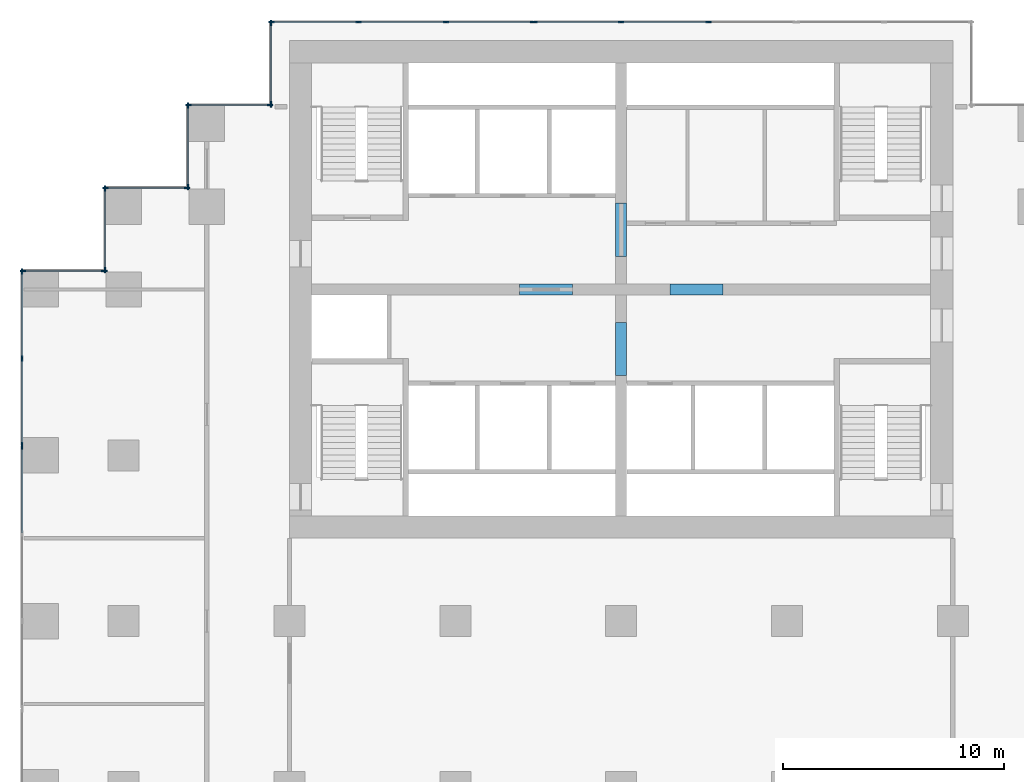
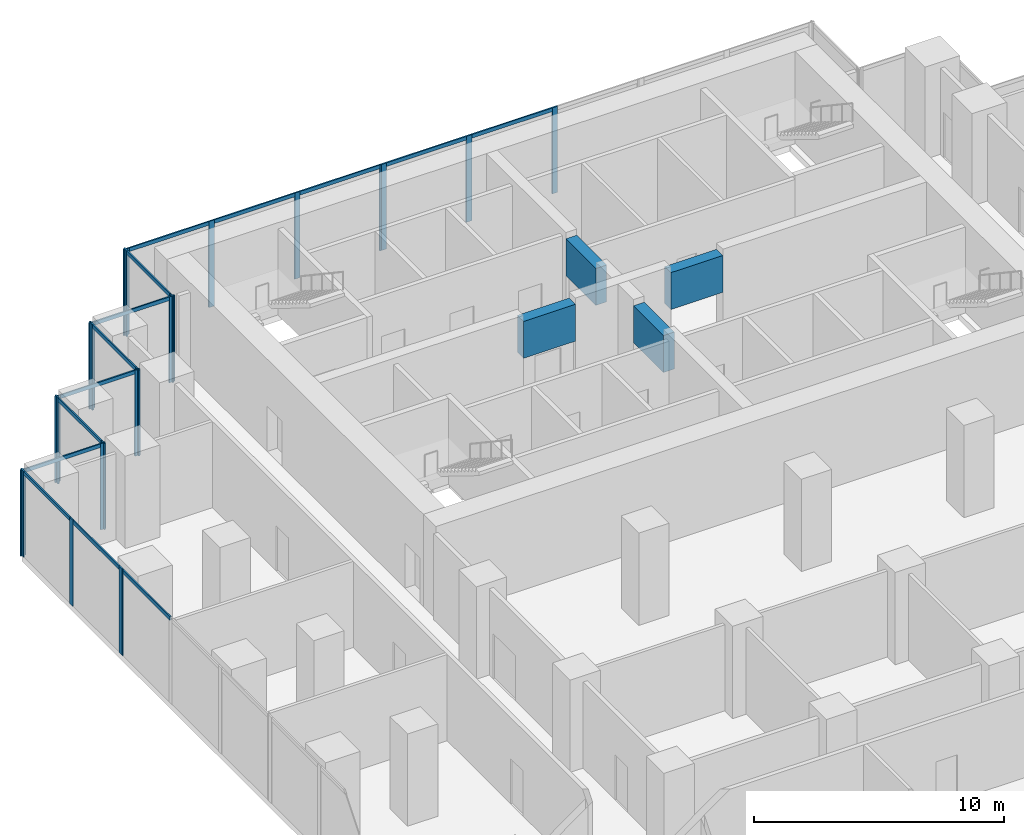
# One storey, part 4 of 10: 37 members, 4 beams, 10 elements without a shape of their own.
"""IFC4 building model written with IfcOpenShell, lengths in metres."""

from ifc_helpers import new_model, si_unit, direction, frame, origin, origin_2d, place, context, subcontext, project, spatial, rectangle, extrude, material, material_profile, profile_set, type_object, element, aggregate, save


model = new_model("IFC4")

# Units and contexts
model_context = context("Model", 3, precision=1e-05, world=origin(), true_north=direction((0.0, 1.0)))
body_context = subcontext(model_context, "Body", "Model", "MODEL_VIEW")
ifc_project = project(units=[si_unit("LENGTHUNIT", "METRE"), si_unit("AREAUNIT", "SQUARE_METRE"), si_unit("VOLUMEUNIT", "CUBIC_METRE"), si_unit("PLANEANGLEUNIT", "RADIAN"), si_unit("MASSUNIT", "GRAM", prefix="KILO")], contexts=[model_context])

# Site, building, storey
site_placement = place(None, origin())
site = spatial("IfcSite", under=ifc_project, at=site_placement, CompositionType="ELEMENT")
building_placement = place(site_placement, origin())
building = spatial("IfcBuilding", under=site, at=building_placement, Name="Pilkhan Gate Tower", CompositionType="ELEMENT")
storey_placement = place(building_placement, frame((0.0, 0.0, 35.0)))
storey = spatial("IfcBuildingStorey", under=building, at=storey_placement, Name="L05", CompositionType="ELEMENT", Elevation=35.0)

# Beams
ifc_material_1 = material(Name="Concrete C70/85", Category="concrete")
ifc_material_profile_1 = material_profile(ifc_material_1, rectangle(XDim=0.5, YDim=1.800048828125, at=origin_2d()), Name="RC 500x1800")
ifc_profile_set_1 = profile_set([ifc_material_profile_1], Name="Concrete C70/85")
beam_type = type_object("IfcBeamType", Name="Coupling beam CB180 RC 500x1800 C70/85", PredefinedType="LINTEL", material=ifc_profile_set_1)
for number, where, z_axis, x_axis, name in (
    (1, (70.39990234375, 82.5, 3.300048828125), (1.0, 0.0, 0.0), (0.0, 1.0, 0.0), "Coupling beam 1 L05"),
    (2, (77.199951171875, 82.5, 3.300048828125), (1.0, 0.0, 0.0), (0.0, 1.0, 0.0), "Coupling beam 2 L05"),
):
    element("IfcBeam", number, at=place(storey_placement, frame(where, z_axis=z_axis, x_axis=x_axis)), inside=storey, type_object=beam_type, Name=name, PredefinedType="LINTEL", context=body_context, shape_type="SweptSolid", body=[
        extrude(rectangle(XDim=0.5, YDim=1.800048828125, at=origin_2d()), origin(), (0.0, 0.0, 1.0), 2.400146484375),
    ])
for number, where, z_axis, x_axis, name in (
    (3, (75.0, 78.60009765625, 3.300048828125), (0.0, 1.0, 0.0), (-1.0, 0.0, 0.0), "Coupling beam 3 L05"),
    (4, (75.0, 84.0, 3.300048828125), (0.0, 1.0, 0.0), (-1.0, 0.0, 0.0), "Coupling beam 4 L05"),
):
    element("IfcBeam", number, at=place(storey_placement, frame(where, z_axis=z_axis, x_axis=x_axis)), inside=storey, type_object=beam_type, Name=name, PredefinedType="LINTEL", context=body_context, shape_type="SweptSolid", body=[
        extrude(rectangle(XDim=0.5, YDim=1.800048828125, at=origin_2d()), origin(), (0.0, 0.0, 1.0), 2.39990234375),
    ])

# Curtain wall, members
ifc_material_2 = material(Name="Pale anodised aluminium, clear low-iron double glazing", Category="aluminium")
curtain_wall_type = type_object("IfcCurtainWallType", Name="Hotel unitised curtain wall CW-H", PredefinedType="USERDEFINED", material=ifc_material_2)
curtain_wall_1_placement = place(storey_placement, origin())
curtain_wall_1 = element("IfcCurtainWall", 5, at=curtain_wall_1_placement, inside=storey, type_object=curtain_wall_type, Name="Hotel unitised curtain wall CW-H L05 N", ObjectType="UNITISED CURTAIN WALL", PredefinedType="USERDEFINED")
ifc_material_3 = material(Name="Pale anodised aluminium", Category="aluminium")
ifc_material_profile_2 = material_profile(ifc_material_3, rectangle(XDim=0.06494140625, YDim=0.25, at=origin_2d()), Name="Mullion 250x65")
ifc_profile_set_2 = profile_set([ifc_material_profile_2], Name="Pale anodised aluminium")
member_type_1 = type_object("IfcMemberType", Name="Mullion CW-H 250x65", PredefinedType="MULLION", material=ifc_profile_set_2)
member_1_placement = place(storey_placement, frame((59.1875, 94.594970703125, 0.0), z_axis=(0.0, 0.0, 1.0), x_axis=(0.0, 1.0, 0.0)))
member_1 = element("IfcMember", 6, at=member_1_placement, type_object=member_type_1, Name="CW-H mullion 1", PredefinedType="MULLION", context=body_context, shape_type="SweptSolid", body=[
    extrude(rectangle(XDim=0.06494140625, YDim=0.25, at=origin_2d()), origin(), (0.0, 0.0, 1.0), 4.199951171875),
])
member_2_placement = place(storey_placement, frame((63.1162109375, 94.594970703125, 0.0), z_axis=(0.0, 0.0, 1.0), x_axis=(0.0, 1.0, 0.0)))
member_2 = element("IfcMember", 7, at=member_2_placement, type_object=member_type_1, Name="CW-H mullion 2", PredefinedType="MULLION", context=body_context, shape_type="SweptSolid", body=[
    extrude(rectangle(XDim=0.06494140625, YDim=0.25, at=origin_2d()), origin(), (0.0, 0.0, 1.0), 4.199951171875),
])
member_3_placement = place(storey_placement, frame((67.077392578125, 94.594970703125, 0.0), z_axis=(0.0, 0.0, 1.0), x_axis=(0.0, 1.0, 0.0)))
member_3 = element("IfcMember", 8, at=member_3_placement, type_object=member_type_1, Name="CW-H mullion 3", PredefinedType="MULLION", context=body_context, shape_type="SweptSolid", body=[
    extrude(rectangle(XDim=0.06494140625, YDim=0.25, at=origin_2d()), origin(), (0.0, 0.0, 1.0), 4.199951171875),
])
member_4_placement = place(storey_placement, frame((71.00634765625, 94.594970703125, 0.0), z_axis=(0.0, 0.0, 1.0), x_axis=(0.0, 1.0, 0.0)))
member_4 = element("IfcMember", 9, at=member_4_placement, type_object=member_type_1, Name="CW-H mullion 4", PredefinedType="MULLION", context=body_context, shape_type="SweptSolid", body=[
    extrude(rectangle(XDim=0.06494140625, YDim=0.25, at=origin_2d()), origin(), (0.0, 0.0, 1.0), 4.199951171875),
])

curtain_wall_2_placement = place(storey_placement, origin())
curtain_wall_2 = element("IfcCurtainWall", 10, at=curtain_wall_2_placement, inside=storey, type_object=curtain_wall_type, Name="Hotel unitised curtain wall CW-H L05 N", ObjectType="UNITISED CURTAIN WALL", PredefinedType="USERDEFINED")
member_5_placement = place(storey_placement, frame((71.0712890625, 94.594970703125, 0.0), z_axis=(0.0, 0.0, 1.0), x_axis=(0.0, 1.0, 0.0)))
member_5 = element("IfcMember", 11, at=member_5_placement, type_object=member_type_1, Name="CW-H mullion 1", PredefinedType="MULLION", context=body_context, shape_type="SweptSolid", body=[
    extrude(rectangle(XDim=0.06494140625, YDim=0.25, at=origin_2d()), origin(), (0.0, 0.0, 1.0), 4.199951171875),
])
member_6_placement = place(storey_placement, frame((75.0, 94.594970703125, 0.0), z_axis=(0.0, 0.0, 1.0), x_axis=(0.0, 1.0, 0.0)))
member_6 = element("IfcMember", 12, at=member_6_placement, type_object=member_type_1, Name="CW-H mullion 2", PredefinedType="MULLION", context=body_context, shape_type="SweptSolid", body=[
    extrude(rectangle(XDim=0.06494140625, YDim=0.25, at=origin_2d()), origin(), (0.0, 0.0, 1.0), 4.199951171875),
])
member_7_placement = place(storey_placement, frame((78.961181640625, 94.594970703125, 0.0), z_axis=(0.0, 0.0, 1.0), x_axis=(0.0, 1.0, 0.0)))
member_7 = element("IfcMember", 13, at=member_7_placement, type_object=member_type_1, Name="CW-H mullion 3", PredefinedType="MULLION", context=body_context, shape_type="SweptSolid", body=[
    extrude(rectangle(XDim=0.06494140625, YDim=0.25, at=origin_2d()), origin(), (0.0, 0.0, 1.0), 4.199951171875),
])

curtain_wall_3_placement = place(storey_placement, origin())
curtain_wall_3 = element("IfcCurtainWall", 14, at=curtain_wall_3_placement, inside=storey, type_object=curtain_wall_type, Name="Hotel unitised curtain wall CW-H L05 W", ObjectType="UNITISED CURTAIN WALL", PredefinedType="USERDEFINED")
member_8_placement = place(storey_placement, frame((59.155029296875, 90.87744140625, 0.0), z_axis=(0.0, 0.0, 1.0), x_axis=(-1.0, 0.0, 0.0)))
member_8 = element("IfcMember", 15, at=member_8_placement, type_object=member_type_1, Name="CW-H mullion 1", PredefinedType="MULLION", context=body_context, shape_type="SweptSolid", body=[
    extrude(rectangle(XDim=0.06494140625, YDim=0.25, at=origin_2d()), origin(), (0.0, 0.0, 1.0), 4.199951171875),
])
member_9_placement = place(storey_placement, frame((59.155029296875, 94.5625, 0.0), z_axis=(0.0, 0.0, 1.0), x_axis=(-1.0, 0.0, 0.0)))
member_9 = element("IfcMember", 16, at=member_9_placement, type_object=member_type_1, Name="CW-H mullion 2", PredefinedType="MULLION", context=body_context, shape_type="SweptSolid", body=[
    extrude(rectangle(XDim=0.06494140625, YDim=0.25, at=origin_2d()), origin(), (0.0, 0.0, 1.0), 4.199951171875),
])

curtain_wall_4_placement = place(storey_placement, origin())
curtain_wall_4 = element("IfcCurtainWall", 17, at=curtain_wall_4_placement, inside=storey, type_object=curtain_wall_type, Name="Hotel unitised curtain wall CW-H L05 N", ObjectType="UNITISED CURTAIN WALL", PredefinedType="USERDEFINED")
member_10_placement = place(storey_placement, frame((55.4375, 90.844970703125, 0.0), z_axis=(0.0, 0.0, 1.0), x_axis=(0.0, 1.0, 0.0)))
member_10 = element("IfcMember", 18, at=member_10_placement, type_object=member_type_1, Name="CW-H mullion 1", PredefinedType="MULLION", context=body_context, shape_type="SweptSolid", body=[
    extrude(rectangle(XDim=0.06494140625, YDim=0.25, at=origin_2d()), origin(), (0.0, 0.0, 1.0), 4.199951171875),
])
member_11_placement = place(storey_placement, frame((59.12255859375, 90.844970703125, 0.0), z_axis=(0.0, 0.0, 1.0), x_axis=(0.0, 1.0, 0.0)))
member_11 = element("IfcMember", 19, at=member_11_placement, type_object=member_type_1, Name="CW-H mullion 2", PredefinedType="MULLION", context=body_context, shape_type="SweptSolid", body=[
    extrude(rectangle(XDim=0.06494140625, YDim=0.25, at=origin_2d()), origin(), (0.0, 0.0, 1.0), 4.199951171875),
])

curtain_wall_5_placement = place(storey_placement, origin())
curtain_wall_5 = element("IfcCurtainWall", 20, at=curtain_wall_5_placement, inside=storey, type_object=curtain_wall_type, Name="Hotel unitised curtain wall CW-H L05 W", ObjectType="UNITISED CURTAIN WALL", PredefinedType="USERDEFINED")
member_12_placement = place(storey_placement, frame((55.405029296875, 87.12744140625, 0.0), z_axis=(0.0, 0.0, 1.0), x_axis=(-1.0, 0.0, 0.0)))
member_12 = element("IfcMember", 21, at=member_12_placement, type_object=member_type_1, Name="CW-H mullion 1", PredefinedType="MULLION", context=body_context, shape_type="SweptSolid", body=[
    extrude(rectangle(XDim=0.06494140625, YDim=0.25, at=origin_2d()), origin(), (0.0, 0.0, 1.0), 4.199951171875),
])
member_13_placement = place(storey_placement, frame((55.405029296875, 90.8125, 0.0), z_axis=(0.0, 0.0, 1.0), x_axis=(-1.0, 0.0, 0.0)))
member_13 = element("IfcMember", 22, at=member_13_placement, type_object=member_type_1, Name="CW-H mullion 2", PredefinedType="MULLION", context=body_context, shape_type="SweptSolid", body=[
    extrude(rectangle(XDim=0.06494140625, YDim=0.25, at=origin_2d()), origin(), (0.0, 0.0, 1.0), 4.199951171875),
])

curtain_wall_6_placement = place(storey_placement, origin())
curtain_wall_6 = element("IfcCurtainWall", 23, at=curtain_wall_6_placement, inside=storey, type_object=curtain_wall_type, Name="Hotel unitised curtain wall CW-H L05 N", ObjectType="UNITISED CURTAIN WALL", PredefinedType="USERDEFINED")
member_14_placement = place(storey_placement, frame((51.6875, 87.094970703125, 0.0), z_axis=(0.0, 0.0, 1.0), x_axis=(0.0, 1.0, 0.0)))
member_14 = element("IfcMember", 24, at=member_14_placement, type_object=member_type_1, Name="CW-H mullion 1", PredefinedType="MULLION", context=body_context, shape_type="SweptSolid", body=[
    extrude(rectangle(XDim=0.06494140625, YDim=0.25, at=origin_2d()), origin(), (0.0, 0.0, 1.0), 4.199951171875),
])
member_15_placement = place(storey_placement, frame((55.37255859375, 87.094970703125, 0.0), z_axis=(0.0, 0.0, 1.0), x_axis=(0.0, 1.0, 0.0)))
member_15 = element("IfcMember", 25, at=member_15_placement, type_object=member_type_1, Name="CW-H mullion 2", PredefinedType="MULLION", context=body_context, shape_type="SweptSolid", body=[
    extrude(rectangle(XDim=0.06494140625, YDim=0.25, at=origin_2d()), origin(), (0.0, 0.0, 1.0), 4.199951171875),
])

curtain_wall_7_placement = place(storey_placement, origin())
curtain_wall_7 = element("IfcCurtainWall", 26, at=curtain_wall_7_placement, inside=storey, type_object=curtain_wall_type, Name="Hotel unitised curtain wall CW-H L05 W", ObjectType="UNITISED CURTAIN WALL", PredefinedType="USERDEFINED")
member_16_placement = place(storey_placement, frame((51.655029296875, 83.37744140625, 0.0), z_axis=(0.0, 0.0, 1.0), x_axis=(-1.0, 0.0, 0.0)))
member_16 = element("IfcMember", 27, at=member_16_placement, type_object=member_type_1, Name="CW-H mullion 1", PredefinedType="MULLION", context=body_context, shape_type="SweptSolid", body=[
    extrude(rectangle(XDim=0.06494140625, YDim=0.25, at=origin_2d()), origin(), (0.0, 0.0, 1.0), 4.199951171875),
])
member_17_placement = place(storey_placement, frame((51.655029296875, 87.0625, 0.0), z_axis=(0.0, 0.0, 1.0), x_axis=(-1.0, 0.0, 0.0)))
member_17 = element("IfcMember", 28, at=member_17_placement, type_object=member_type_1, Name="CW-H mullion 2", PredefinedType="MULLION", context=body_context, shape_type="SweptSolid", body=[
    extrude(rectangle(XDim=0.06494140625, YDim=0.25, at=origin_2d()), origin(), (0.0, 0.0, 1.0), 4.199951171875),
])

curtain_wall_8_placement = place(storey_placement, origin())
curtain_wall_8 = element("IfcCurtainWall", 29, at=curtain_wall_8_placement, inside=storey, type_object=curtain_wall_type, Name="Hotel unitised curtain wall CW-H L05 N", ObjectType="UNITISED CURTAIN WALL", PredefinedType="USERDEFINED")
member_18_placement = place(storey_placement, frame((47.9375, 83.344970703125, 0.0), z_axis=(0.0, 0.0, 1.0), x_axis=(0.0, 1.0, 0.0)))
member_18 = element("IfcMember", 30, at=member_18_placement, type_object=member_type_1, Name="CW-H mullion 1", PredefinedType="MULLION", context=body_context, shape_type="SweptSolid", body=[
    extrude(rectangle(XDim=0.06494140625, YDim=0.25, at=origin_2d()), origin(), (0.0, 0.0, 1.0), 4.199951171875),
])
member_19_placement = place(storey_placement, frame((51.62255859375, 83.344970703125, 0.0), z_axis=(0.0, 0.0, 1.0), x_axis=(0.0, 1.0, 0.0)))
member_19 = element("IfcMember", 31, at=member_19_placement, type_object=member_type_1, Name="CW-H mullion 2", PredefinedType="MULLION", context=body_context, shape_type="SweptSolid", body=[
    extrude(rectangle(XDim=0.06494140625, YDim=0.25, at=origin_2d()), origin(), (0.0, 0.0, 1.0), 4.199951171875),
])

# Curtain wall, member
curtain_wall_9_placement = place(storey_placement, origin())
curtain_wall_9 = element("IfcCurtainWall", 32, at=curtain_wall_9_placement, inside=storey, type_object=curtain_wall_type, Name="Hotel unitised curtain wall CW-H L05 W", ObjectType="UNITISED CURTAIN WALL", PredefinedType="USERDEFINED")
member_20_placement = place(storey_placement, frame((47.905029296875, 75.389892578125, 0.0), z_axis=(0.0, 0.0, 1.0), x_axis=(-1.0, 0.0, 0.0)))
member_20 = element("IfcMember", 33, at=member_20_placement, type_object=member_type_1, Name="CW-H mullion 4", PredefinedType="MULLION", context=body_context, shape_type="SweptSolid", body=[
    extrude(rectangle(XDim=0.06494140625, YDim=0.25, at=origin_2d()), origin(), (0.0, 0.0, 1.0), 4.199951171875),
])

# Curtain wall, members
curtain_wall_10_placement = place(storey_placement, origin())
curtain_wall_10 = element("IfcCurtainWall", 34, at=curtain_wall_10_placement, inside=storey, type_object=curtain_wall_type, Name="Hotel unitised curtain wall CW-H L05 W", ObjectType="UNITISED CURTAIN WALL", PredefinedType="USERDEFINED")
member_21_placement = place(storey_placement, frame((47.905029296875, 75.455078125, 0.0), z_axis=(0.0, 0.0, 1.0), x_axis=(-1.0, 0.0, 0.0)))
member_21 = element("IfcMember", 35, at=member_21_placement, type_object=member_type_1, Name="CW-H mullion 1", PredefinedType="MULLION", context=body_context, shape_type="SweptSolid", body=[
    extrude(rectangle(XDim=0.06494140625, YDim=0.25, at=origin_2d()), origin(), (0.0, 0.0, 1.0), 4.199951171875),
])
member_22_placement = place(storey_placement, frame((47.905029296875, 79.3837890625, 0.0), z_axis=(0.0, 0.0, 1.0), x_axis=(-1.0, 0.0, 0.0)))
member_22 = element("IfcMember", 36, at=member_22_placement, type_object=member_type_1, Name="CW-H mullion 2", PredefinedType="MULLION", context=body_context, shape_type="SweptSolid", body=[
    extrude(rectangle(XDim=0.06494140625, YDim=0.25, at=origin_2d()), origin(), (0.0, 0.0, 1.0), 4.199951171875),
])
member_23_placement = place(storey_placement, frame((47.905029296875, 83.3125, 0.0), z_axis=(0.0, 0.0, 1.0), x_axis=(-1.0, 0.0, 0.0)))
member_23 = element("IfcMember", 37, at=member_23_placement, type_object=member_type_1, Name="CW-H mullion 3", PredefinedType="MULLION", context=body_context, shape_type="SweptSolid", body=[
    extrude(rectangle(XDim=0.06494140625, YDim=0.25, at=origin_2d()), origin(), (0.0, 0.0, 1.0), 4.199951171875),
])

# Member
ifc_material_profile_3 = material_profile(ifc_material_3, rectangle(XDim=0.06494140625, YDim=0.179931640625, at=origin_2d()), Name="Transom 180x65")
ifc_profile_set_3 = profile_set([ifc_material_profile_3], Name="Pale anodised aluminium")
member_type_2 = type_object("IfcMemberType", Name="Transom CW-H 180x65", PredefinedType="USERDEFINED", material=ifc_profile_set_3)
member_24_placement = place(storey_placement, frame((59.219970703125, 94.594970703125, 4.110107421875), z_axis=(1.0, 0.0, 0.0), x_axis=(0.0, 1.0, 0.0)))
member_24 = element("IfcMember", 38, at=member_24_placement, type_object=member_type_2, Name="CW-H transom 1", ObjectType="TRANSOM", PredefinedType="USERDEFINED", context=body_context, shape_type="SweptSolid", body=[
    extrude(rectangle(XDim=0.06494140625, YDim=0.179931640625, at=origin_2d()), origin(), (0.0, 0.0, 1.0), 3.86376953125),
])

member_25_placement = place(storey_placement, frame((63.148681640625, 94.594970703125, 4.110107421875), z_axis=(1.0, 0.0, 0.0), x_axis=(0.0, 1.0, 0.0)))
member_25 = element("IfcMember", 39, at=member_25_placement, type_object=member_type_2, Name="CW-H transom 2", ObjectType="TRANSOM", PredefinedType="USERDEFINED", context=body_context, shape_type="SweptSolid", body=[
    extrude(rectangle(XDim=0.06494140625, YDim=0.179931640625, at=origin_2d()), origin(), (0.0, 0.0, 1.0), 3.896240234375),
])

member_26_placement = place(storey_placement, frame((67.110107421875, 94.594970703125, 4.110107421875), z_axis=(1.0, 0.0, 0.0), x_axis=(0.0, 1.0, 0.0)))
member_26 = element("IfcMember", 40, at=member_26_placement, type_object=member_type_2, Name="CW-H transom 3", ObjectType="TRANSOM", PredefinedType="USERDEFINED", context=body_context, shape_type="SweptSolid", body=[
    extrude(rectangle(XDim=0.06494140625, YDim=0.179931640625, at=origin_2d()), origin(), (0.0, 0.0, 1.0), 3.863525390625),
])

aggregate(curtain_wall_1, [member_1, member_2, member_3, member_4, member_24, member_25, member_26])

member_27_placement = place(storey_placement, frame((71.103759765625, 94.594970703125, 4.110107421875), z_axis=(1.0, 0.0, 0.0), x_axis=(0.0, 1.0, 0.0)))
member_27 = element("IfcMember", 41, at=member_27_placement, type_object=member_type_2, Name="CW-H transom 1", ObjectType="TRANSOM", PredefinedType="USERDEFINED", context=body_context, shape_type="SweptSolid", body=[
    extrude(rectangle(XDim=0.06494140625, YDim=0.179931640625, at=origin_2d()), origin(), (0.0, 0.0, 1.0), 3.86376953125),
])

member_28_placement = place(storey_placement, frame((75.032470703125, 94.594970703125, 4.110107421875), z_axis=(1.0, 0.0, 0.0), x_axis=(0.0, 1.0, 0.0)))
member_28 = element("IfcMember", 42, at=member_28_placement, type_object=member_type_2, Name="CW-H transom 2", ObjectType="TRANSOM", PredefinedType="USERDEFINED", context=body_context, shape_type="SweptSolid", body=[
    extrude(rectangle(XDim=0.06494140625, YDim=0.179931640625, at=origin_2d()), origin(), (0.0, 0.0, 1.0), 3.896240234375),
])

aggregate(curtain_wall_2, [member_5, member_6, member_7, member_27, member_28])

member_29_placement = place(storey_placement, frame((59.155029296875, 90.909912109375, 4.110107421875), z_axis=(0.0, 1.0, 0.0), x_axis=(-1.0, 0.0, 0.0)))
member_29 = element("IfcMember", 43, at=member_29_placement, type_object=member_type_2, Name="CW-H transom 1", ObjectType="TRANSOM", PredefinedType="USERDEFINED", context=body_context, shape_type="SweptSolid", body=[
    extrude(rectangle(XDim=0.06494140625, YDim=0.179931640625, at=origin_2d()), origin(), (0.0, 0.0, 1.0), 3.6201171875),
])

aggregate(curtain_wall_3, [member_8, member_9, member_29])

member_30_placement = place(storey_placement, frame((55.469970703125, 90.844970703125, 4.110107421875), z_axis=(1.0, 0.0, 0.0), x_axis=(0.0, 1.0, 0.0)))
member_30 = element("IfcMember", 44, at=member_30_placement, type_object=member_type_2, Name="CW-H transom 1", ObjectType="TRANSOM", PredefinedType="USERDEFINED", context=body_context, shape_type="SweptSolid", body=[
    extrude(rectangle(XDim=0.06494140625, YDim=0.179931640625, at=origin_2d()), origin(), (0.0, 0.0, 1.0), 3.6201171875),
])

aggregate(curtain_wall_4, [member_10, member_11, member_30])

member_31_placement = place(storey_placement, frame((55.405029296875, 87.159912109375, 4.110107421875), z_axis=(0.0, 1.0, 0.0), x_axis=(-1.0, 0.0, 0.0)))
member_31 = element("IfcMember", 45, at=member_31_placement, type_object=member_type_2, Name="CW-H transom 1", ObjectType="TRANSOM", PredefinedType="USERDEFINED", context=body_context, shape_type="SweptSolid", body=[
    extrude(rectangle(XDim=0.06494140625, YDim=0.179931640625, at=origin_2d()), origin(), (0.0, 0.0, 1.0), 3.6201171875),
])

aggregate(curtain_wall_5, [member_12, member_13, member_31])

member_32_placement = place(storey_placement, frame((51.719970703125, 87.094970703125, 4.110107421875), z_axis=(1.0, 0.0, 0.0), x_axis=(0.0, 1.0, 0.0)))
member_32 = element("IfcMember", 46, at=member_32_placement, type_object=member_type_2, Name="CW-H transom 1", ObjectType="TRANSOM", PredefinedType="USERDEFINED", context=body_context, shape_type="SweptSolid", body=[
    extrude(rectangle(XDim=0.06494140625, YDim=0.179931640625, at=origin_2d()), origin(), (0.0, 0.0, 1.0), 3.6201171875),
])

aggregate(curtain_wall_6, [member_14, member_15, member_32])

member_33_placement = place(storey_placement, frame((51.655029296875, 83.409912109375, 4.110107421875), z_axis=(0.0, 1.0, 0.0), x_axis=(-1.0, 0.0, 0.0)))
member_33 = element("IfcMember", 47, at=member_33_placement, type_object=member_type_2, Name="CW-H transom 1", ObjectType="TRANSOM", PredefinedType="USERDEFINED", context=body_context, shape_type="SweptSolid", body=[
    extrude(rectangle(XDim=0.06494140625, YDim=0.179931640625, at=origin_2d()), origin(), (0.0, 0.0, 1.0), 3.6201171875),
])

aggregate(curtain_wall_7, [member_16, member_17, member_33])

member_34_placement = place(storey_placement, frame((47.969970703125, 83.344970703125, 4.110107421875), z_axis=(1.0, 0.0, 0.0), x_axis=(0.0, 1.0, 0.0)))
member_34 = element("IfcMember", 48, at=member_34_placement, type_object=member_type_2, Name="CW-H transom 1", ObjectType="TRANSOM", PredefinedType="USERDEFINED", context=body_context, shape_type="SweptSolid", body=[
    extrude(rectangle(XDim=0.06494140625, YDim=0.179931640625, at=origin_2d()), origin(), (0.0, 0.0, 1.0), 3.6201171875),
])

aggregate(curtain_wall_8, [member_18, member_19, member_34])

member_35_placement = place(storey_placement, frame((47.905029296875, 71.49365234375, 4.110107421875), z_axis=(0.0, 1.0, 0.0), x_axis=(-1.0, 0.0, 0.0)))
member_35 = element("IfcMember", 49, at=member_35_placement, type_object=member_type_2, Name="CW-H transom 3", ObjectType="TRANSOM", PredefinedType="USERDEFINED", context=body_context, shape_type="SweptSolid", body=[
    extrude(rectangle(XDim=0.06494140625, YDim=0.179931640625, at=origin_2d()), origin(), (0.0, 0.0, 1.0), 3.86376953125),
])

aggregate(curtain_wall_9, [member_20, member_35])

member_36_placement = place(storey_placement, frame((47.905029296875, 75.487548828125, 4.110107421875), z_axis=(0.0, 1.0, 0.0), x_axis=(-1.0, 0.0, 0.0)))
member_36 = element("IfcMember", 50, at=member_36_placement, type_object=member_type_2, Name="CW-H transom 1", ObjectType="TRANSOM", PredefinedType="USERDEFINED", context=body_context, shape_type="SweptSolid", body=[
    extrude(rectangle(XDim=0.06494140625, YDim=0.179931640625, at=origin_2d()), origin(), (0.0, 0.0, 1.0), 3.86376953125),
])

member_37_placement = place(storey_placement, frame((47.905029296875, 79.416259765625, 4.110107421875), z_axis=(0.0, 1.0, 0.0), x_axis=(-1.0, 0.0, 0.0)))
member_37 = element("IfcMember", 51, at=member_37_placement, type_object=member_type_2, Name="CW-H transom 2", ObjectType="TRANSOM", PredefinedType="USERDEFINED", context=body_context, shape_type="SweptSolid", body=[
    extrude(rectangle(XDim=0.06494140625, YDim=0.179931640625, at=origin_2d()), origin(), (0.0, 0.0, 1.0), 3.86376953125),
])

aggregate(curtain_wall_10, [member_21, member_22, member_23, member_36, member_37])

save(model, "model.ifc")
